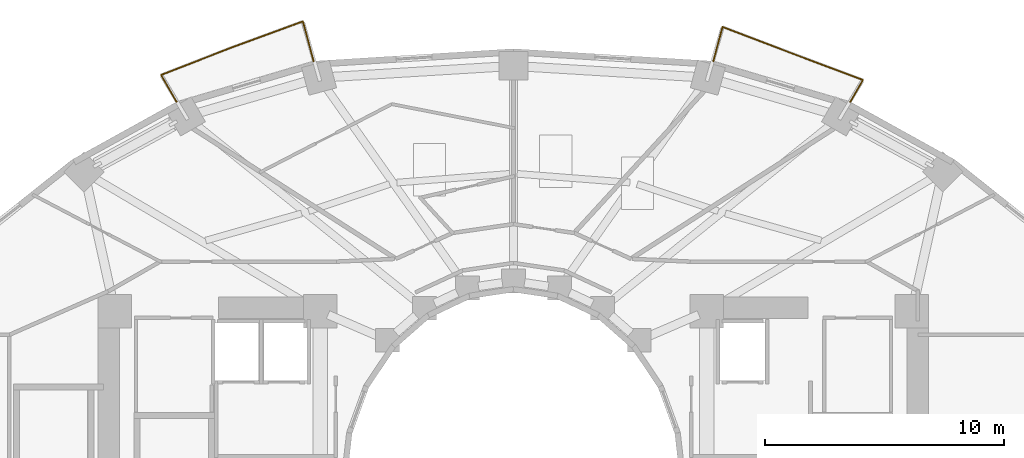
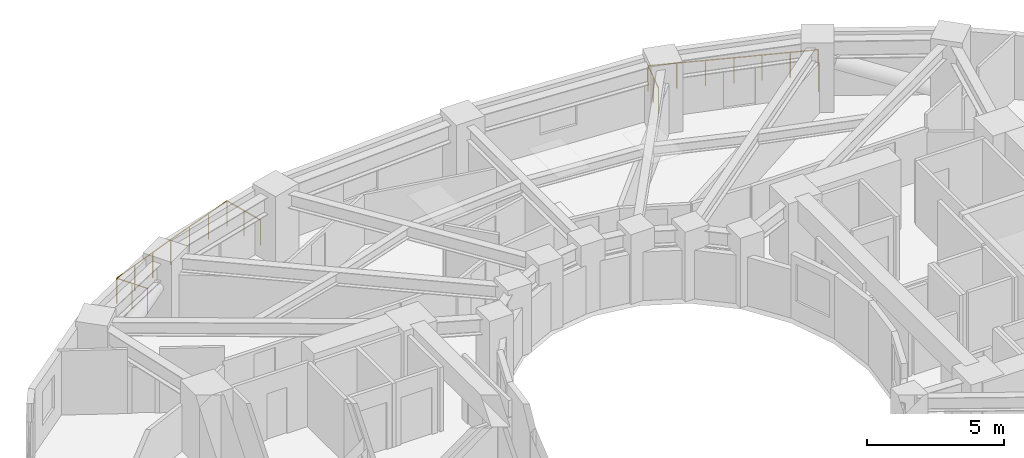
# One storey, part 11 of 11: 2 railings.
"""IFC4 building model written with IfcOpenShell, lengths in metres."""

from ifc_helpers import new_model, si_unit, direction, frame, origin, origin_2d, place, context, subcontext, project, spatial, circle, extrude, material, type_object, element, save


model = new_model("IFC4")

# Units and contexts
model_context = context("Model", 3, precision=1e-05, world=origin(), true_north=direction((0.0, 1.0)))
body_context = subcontext(model_context, "Body", "Model", "MODEL_VIEW")
ifc_project = project(units=[si_unit("LENGTHUNIT", "METRE"), si_unit("AREAUNIT", "SQUARE_METRE"), si_unit("VOLUMEUNIT", "CUBIC_METRE"), si_unit("PLANEANGLEUNIT", "RADIAN"), si_unit("MASSUNIT", "GRAM", prefix="KILO")], contexts=[model_context])

# Site, building, storey
site_placement = place(None, origin())
site = spatial("IfcSite", under=ifc_project, at=site_placement, CompositionType="ELEMENT")
building_placement = place(site_placement, origin())
building = spatial("IfcBuilding", under=site, at=building_placement, Name="Solvane Sanctuary Tower", CompositionType="ELEMENT")
storey_placement = place(building_placement, frame((0.0, 0.0, 49.300048828125)))
storey = spatial("IfcBuildingStorey", under=building, at=storey_placement, Name="L14", CompositionType="ELEMENT", Elevation=49.300048828125)

# Railings
ifc_material = material(Name="Architectural Stainless Steel 316", Category="steel")
railing_type = type_object("IfcRailingType", Name="Railing GR-BALC-1150", PredefinedType="BALUSTRADE", material=ifc_material)
railing_1_placement = place(storey_placement, frame((46.1181640625, 38.977294921875, 0.0)))
element("IfcRailing", 1, at=railing_1_placement, inside=storey, type_object=railing_type, Name="L14 Wave Balcony Balustrade N1", PredefinedType="BALUSTRADE", context=body_context, shape_type="SweptSolid", body=[
    extrude(circle(Radius=0.02392578125, at=origin_2d()), frame((0.0, 0.0, 1.1259765625), z_axis=(0.499969342782, 0.866043103014, 0.0), x_axis=(-0.866043103014, 0.499969342782, 0.0)), (0.0, 0.0, 1.0), 1.0556640625),
    extrude(circle(Radius=0.02392578125, at=origin_2d()), frame((0.52783203125, 0.914306640625, 1.1259765625), z_axis=(-0.936499630954, 0.350668563209, 0.0), x_axis=(-0.350668563209, -0.936499630954, 0.0)), (0.0, 0.0, 1.0), 3.11767578125),
    extrude(circle(Radius=0.02392578125, at=origin_2d()), frame((-2.391845703125, 2.007568359375, 1.1259765625), z_axis=(-0.934601042061, 0.355697753968, 0.0), x_axis=(-0.355697753968, -0.934601042061, 0.0)), (0.0, 0.0, 1.0), 3.173095703125),
    extrude(circle(Radius=0.02392578125, at=origin_2d()), frame((-5.357421875, 3.13623046875, 1.1259765625), z_axis=(-0.2588814164, -0.965909111792, 0.0), x_axis=(0.965909111792, -0.2588814164, 0.0)), (0.0, 0.0, 1.0), 1.4833984375),
    extrude(circle(Radius=0.02099609375, at=origin_2d()), origin(), (0.0, 0.0, 1.0), 1.101806640625),
    extrude(circle(Radius=0.02099609375, at=origin_2d()), frame((0.52783203125, 0.914306640625, 0.0)), (0.0, 0.0, 1.0), 1.101806640625),
    extrude(circle(Radius=0.02099609375, at=origin_2d()), frame((-0.4453125, 1.27880859375, 0.0)), (0.0, 0.0, 1.0), 1.101806640625),
    extrude(circle(Radius=0.02099609375, at=origin_2d()), frame((-1.418701171875, 1.64306640625, 0.0)), (0.0, 0.0, 1.0), 1.101806640625),
    extrude(circle(Radius=0.02099609375, at=origin_2d()), frame((-2.391845703125, 2.007568359375, 0.0)), (0.0, 0.0, 1.0), 1.101806640625),
    extrude(circle(Radius=0.02099609375, at=origin_2d()), frame((-3.38037109375, 2.3837890625, 0.0)), (0.0, 0.0, 1.0), 1.101806640625),
    extrude(circle(Radius=0.02099609375, at=origin_2d()), frame((-4.368896484375, 2.760009765625, 0.0)), (0.0, 0.0, 1.0), 1.101806640625),
    extrude(circle(Radius=0.02099609375, at=origin_2d()), frame((-5.357421875, 3.13623046875, 0.0)), (0.0, 0.0, 1.0), 1.101806640625),
    extrude(circle(Radius=0.02099609375, at=origin_2d()), frame((-5.54931640625, 2.419921875, 0.0)), (0.0, 0.0, 1.0), 1.101806640625),
    extrude(circle(Radius=0.02099609375, at=origin_2d()), frame((-5.741455078125, 1.703369140625, 0.0)), (0.0, 0.0, 1.0), 1.101806640625),
])
railing_2_placement = place(storey_placement, frame((23.623291015625, 40.6806640625, 0.0)))
element("IfcRailing", 2, at=railing_2_placement, inside=storey, type_object=railing_type, Name="L14 Wave Balcony Balustrade N2", PredefinedType="BALUSTRADE", context=body_context, shape_type="SweptSolid", body=[
    extrude(circle(Radius=0.02392578125, at=origin_2d()), frame((0.0, 0.0, 1.1259765625), z_axis=(-0.258825730822, 0.965924034831, 0.0), x_axis=(-0.965924034831, -0.258825730822, 0.0)), (0.0, 0.0, 1.0), 1.724365234375),
    extrude(circle(Radius=0.02392578125, at=origin_2d()), frame((-0.4462890625, 1.66552734375, 1.1259765625), z_axis=(-0.938775355753, -0.344529870157, 0.0), x_axis=(0.344529870157, -0.938775355753, 0.0)), (0.0, 0.0, 1.0), 3.205810546875),
    extrude(circle(Radius=0.02392578125, at=origin_2d()), frame((-3.455810546875, 0.56103515625, 1.1259765625), z_axis=(-0.931933339619, -0.362629632692, 0.0), x_axis=(0.362629632692, -0.931933339619, 0.0)), (0.0, 0.0, 1.0), 3.148193359375),
    extrude(circle(Radius=0.02392578125, at=origin_2d()), frame((-6.3896484375, -0.58056640625, 1.1259765625), z_axis=(0.49996696679, -0.866044474677, 0.0), x_axis=(0.866044474677, 0.49996696679, 0.0)), (0.0, 0.0, 1.0), 1.29638671875),
    extrude(circle(Radius=0.02099609375, at=origin_2d()), origin(), (0.0, 0.0, 1.0), 1.101806640625),
    extrude(circle(Radius=0.02099609375, at=origin_2d()), frame((-0.22314453125, 0.832763671875, 0.0)), (0.0, 0.0, 1.0), 1.101806640625),
    extrude(circle(Radius=0.02099609375, at=origin_2d()), frame((-0.4462890625, 1.66552734375, 0.0)), (0.0, 0.0, 1.0), 1.101806640625),
    extrude(circle(Radius=0.02099609375, at=origin_2d()), frame((-1.449462890625, 1.29736328125, 0.0)), (0.0, 0.0, 1.0), 1.101806640625),
    extrude(circle(Radius=0.02099609375, at=origin_2d()), frame((-2.45263671875, 0.92919921875, 0.0)), (0.0, 0.0, 1.0), 1.101806640625),
    extrude(circle(Radius=0.02099609375, at=origin_2d()), frame((-3.455810546875, 0.56103515625, 0.0)), (0.0, 0.0, 1.0), 1.101806640625),
    extrude(circle(Radius=0.02099609375, at=origin_2d()), frame((-4.433837890625, 0.180419921875, 0.0)), (0.0, 0.0, 1.0), 1.101806640625),
    extrude(circle(Radius=0.02099609375, at=origin_2d()), frame((-5.41162109375, -0.199951171875, 0.0)), (0.0, 0.0, 1.0), 1.101806640625),
    extrude(circle(Radius=0.02099609375, at=origin_2d()), frame((-6.3896484375, -0.58056640625, 0.0)), (0.0, 0.0, 1.0), 1.101806640625),
    extrude(circle(Radius=0.02099609375, at=origin_2d()), frame((-6.0654296875, -1.14208984375, 0.0)), (0.0, 0.0, 1.0), 1.101806640625),
    extrude(circle(Radius=0.02099609375, at=origin_2d()), frame((-5.741455078125, -1.703369140625, 0.0)), (0.0, 0.0, 1.0), 1.101806640625),
])

save(model, "model.ifc")
